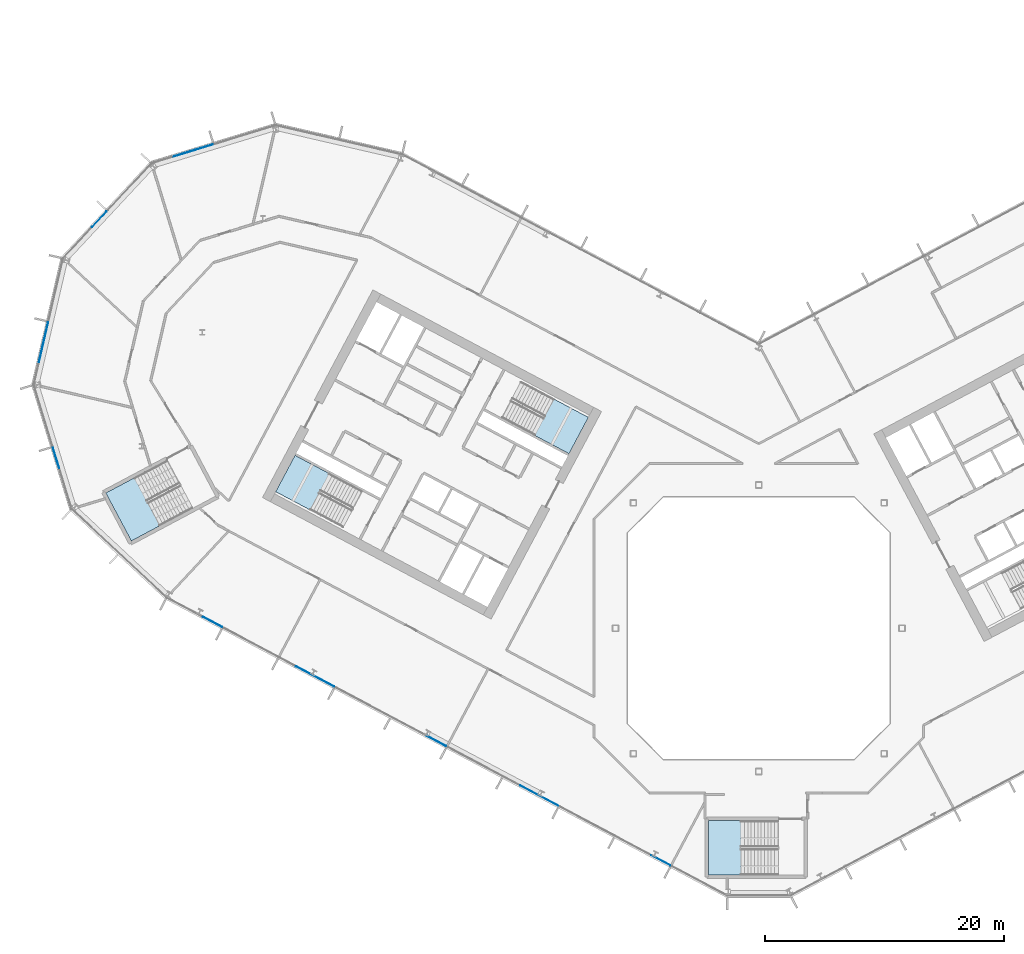
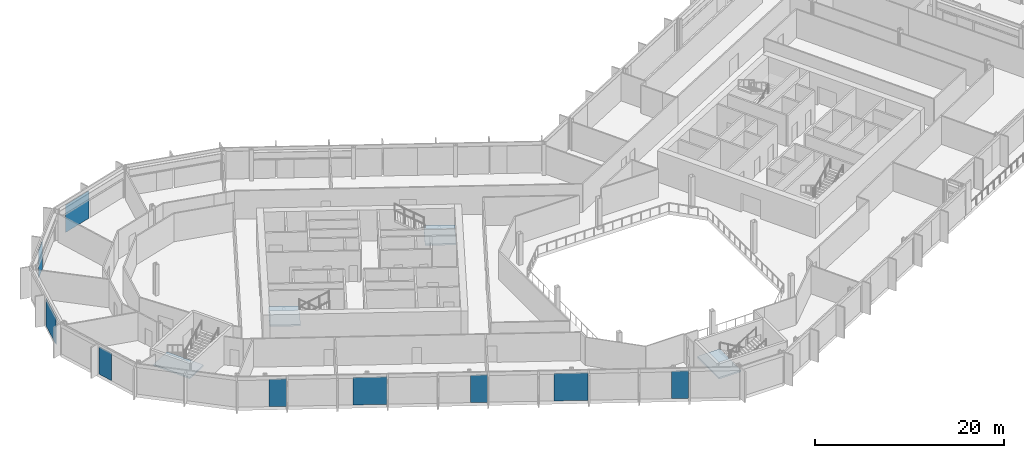
# One storey, part 14 of 34: 9 plates, 4 slabs, 9 elements without a shape of their own.
"""IFC4 building model written with IfcOpenShell, lengths in metres."""

from ifc_helpers import new_model, si_unit, direction, frame, origin, origin_2d, place, context, subcontext, project, spatial, polyline, rectangle, outline, extrude, material, layer, layer_set, type_object, element, aggregate, save


model = new_model("IFC4")

# Units and contexts
model_context = context("Model", 3, precision=1e-05, world=origin(), true_north=direction((0.0, 1.0)))
body_context = subcontext(model_context, "Body", "Model", "MODEL_VIEW")
ifc_project = project(units=[si_unit("LENGTHUNIT", "METRE"), si_unit("AREAUNIT", "SQUARE_METRE"), si_unit("VOLUMEUNIT", "CUBIC_METRE"), si_unit("PLANEANGLEUNIT", "RADIAN"), si_unit("MASSUNIT", "GRAM", prefix="KILO")], contexts=[model_context])

# Site, building, storey
site_placement = place(None, origin())
site = spatial("IfcSite", under=ifc_project, at=site_placement, CompositionType="ELEMENT")
building_placement = place(site_placement, origin())
building = spatial("IfcBuilding", under=site, at=building_placement, Name="Cormorant Relay Tower", CompositionType="ELEMENT")
storey_placement = place(building_placement, frame((0.0, 0.0, 118.199951171875)))
storey = spatial("IfcBuildingStorey", under=building, at=storey_placement, Name="L23", CompositionType="ELEMENT", Elevation=118.199951171875)

# Curtain wall, plate
ifc_material_1 = material(Name="Aluminium 6063-T6 anodised bronze", Category="aluminium")
ifc_layer_1 = layer(ifc_material_1, 0.199951171875)
ifc_layer_set_1 = layer_set([ifc_layer_1], Name="CW1 unitised bronze curtain wall with vertical fins")
curtain_wall_type = type_object("IfcCurtainWallType", Name="CW1 unitised bronze curtain wall with vertical fins", PredefinedType="NOTDEFINED", material=ifc_layer_set_1)
curtain_wall_1_placement = place(storey_placement, origin())
curtain_wall_1 = element("IfcCurtainWall", 1, at=curtain_wall_1_placement, inside=storey, type_object=curtain_wall_type, Name="CW1 curtain wall 12", PredefinedType="NOTDEFINED")
ifc_material_2 = material(Name="Tinted laminated glass", Category="glass")
ifc_layer_2 = layer(ifc_material_2, 0.0400390625)
ifc_layer_set_2 = layer_set([ifc_layer_2], Name="CW1 tinted vision panel 1800 module")
plate_type_1 = type_object("IfcPlateType", Name="CW1 tinted vision panel 1800 module", PredefinedType="CURTAIN_PANEL", material=ifc_layer_set_2)
plate_1_placement = place(storey_placement, frame((-55.247314453125, 34.2607421875, 0.0), z_axis=(0.0, 0.0, 1.0), x_axis=(-0.681998360062, -0.731353701619, 0.0)))
plate_1 = element("IfcPlate", 2, at=plate_1_placement, type_object=plate_type_1, Name="CW1 panel V01", PredefinedType="CURTAIN_PANEL", context=body_context, shape_type="SweptSolid", body=[
    extrude(rectangle(XDim=1.800048828125, YDim=0.0400390625, at=origin_2d()), origin(), (0.0, 0.0, 1.0), 3.550048828125),
])
aggregate(curtain_wall_1, [plate_1])

curtain_wall_2_placement = place(storey_placement, origin())
curtain_wall_2 = element("IfcCurtainWall", 3, at=curtain_wall_2_placement, inside=storey, type_object=curtain_wall_type, Name="CW1 curtain wall 14", PredefinedType="NOTDEFINED")
plate_2_placement = place(storey_placement, frame((-58.86474609375, 14.25732421875, 0.0), z_axis=(0.0, 0.0, 1.0), x_axis=(0.292371704723, -0.956304755963, 0.0)))
plate_2 = element("IfcPlate", 4, at=plate_2_placement, type_object=plate_type_1, Name="CW1 panel V01", PredefinedType="CURTAIN_PANEL", context=body_context, shape_type="SweptSolid", body=[
    extrude(rectangle(XDim=1.800048828125, YDim=0.0400390625, at=origin_2d()), origin(), (0.0, 0.0, 1.0), 3.550048828125),
])
aggregate(curtain_wall_2, [plate_2])

# Curtain wall, plates
curtain_wall_3_placement = place(storey_placement, origin())
curtain_wall_3 = element("IfcCurtainWall", 5, at=curtain_wall_3_placement, inside=storey, type_object=curtain_wall_type, Name="CW1 curtain wall 16", PredefinedType="NOTDEFINED")
plate_3_placement = place(storey_placement, frame((-45.767578125, 0.5283203125, 0.0), z_axis=(0.0, 0.0, 1.0), x_axis=(0.882947592859, -0.469471562786, 0.0)))
plate_3 = element("IfcPlate", 6, at=plate_3_placement, type_object=plate_type_1, Name="CW1 panel V01", PredefinedType="CURTAIN_PANEL", context=body_context, shape_type="SweptSolid", body=[
    extrude(rectangle(XDim=1.800048828125, YDim=0.0400390625, at=origin_2d()), origin(), (0.0, 0.0, 1.0), 3.550048828125),
])
plate_4_placement = place(storey_placement, frame((-26.990478515625, -9.45556640625, 0.0), z_axis=(0.0, 0.0, 1.0), x_axis=(0.882947592859, -0.469471562786, 0.0)))
plate_4 = element("IfcPlate", 7, at=plate_4_placement, type_object=plate_type_1, Name="CW1 panel V05", PredefinedType="CURTAIN_PANEL", context=body_context, shape_type="SweptSolid", body=[
    extrude(rectangle(XDim=1.800048828125, YDim=0.0400390625, at=origin_2d()), origin(), (0.0, 0.0, 1.0), 3.550048828125),
])
plate_5_placement = place(storey_placement, frame((-8.21337890625, -19.439453125, 0.0), z_axis=(0.0, 0.0, 1.0), x_axis=(0.882947592859, -0.469471562786, 0.0)))
plate_5 = element("IfcPlate", 8, at=plate_5_placement, type_object=plate_type_1, Name="CW1 panel V09", PredefinedType="CURTAIN_PANEL", context=body_context, shape_type="SweptSolid", body=[
    extrude(rectangle(XDim=1.800048828125, YDim=0.0400390625, at=origin_2d()), origin(), (0.0, 0.0, 1.0), 3.550048828125),
])

# Curtain wall, plate
curtain_wall_4_placement = place(storey_placement, origin())
curtain_wall_4 = element("IfcCurtainWall", 9, at=curtain_wall_4_placement, inside=storey, type_object=curtain_wall_type, Name="CW1 curtain wall 11", PredefinedType="NOTDEFINED")
ifc_material_3 = material(Name="Tinted laminated glass", Category="glass")
ifc_layer_3 = layer(ifc_material_3, 0.0400390625)
ifc_layer_set_3 = layer_set([ifc_layer_3], Name="CW1 tinted vision panel 3600 module")
plate_type_2 = type_object("IfcPlateType", Name="CW1 tinted vision panel 3600 module", PredefinedType="CURTAIN_PANEL", material=ifc_layer_set_3)
plate_6_placement = place(storey_placement, frame((-47.462158203125, 39.995361328125, 0.0), z_axis=(0.0, 0.0, 1.0), x_axis=(-0.956304755963, -0.292371704723, 0.0)))
plate_6 = element("IfcPlate", 10, at=plate_6_placement, type_object=plate_type_2, Name="CW1 panel V01", PredefinedType="CURTAIN_PANEL", context=body_context, shape_type="SweptSolid", body=[
    extrude(rectangle(XDim=3.60009765625, YDim=0.0400390625, at=origin_2d()), origin(), (0.0, 0.0, 1.0), 3.550048828125),
])
aggregate(curtain_wall_4, [plate_6])

curtain_wall_5_placement = place(storey_placement, origin())
curtain_wall_5 = element("IfcCurtainWall", 11, at=curtain_wall_5_placement, inside=storey, type_object=curtain_wall_type, Name="CW1 curtain wall 13", PredefinedType="NOTDEFINED")
plate_7_placement = place(storey_placement, frame((-59.9384765625, 23.86669921875, 0.0), z_axis=(0.0, 0.0, 1.0), x_axis=(-0.224951054344, -0.974370064785, 0.0)))
plate_7 = element("IfcPlate", 12, at=plate_7_placement, type_object=plate_type_2, Name="CW1 panel V01", PredefinedType="CURTAIN_PANEL", context=body_context, shape_type="SweptSolid", body=[
    extrude(rectangle(XDim=3.60009765625, YDim=0.0400390625, at=origin_2d()), origin(), (0.0, 0.0, 1.0), 3.550048828125),
])
aggregate(curtain_wall_5, [plate_7])

# Plate
plate_8_placement = place(storey_placement, frame((-37.173583984375, -4.041015625, 0.0), z_axis=(0.0, 0.0, 1.0), x_axis=(0.882947592859, -0.469471562786, 0.0)))
plate_8 = element("IfcPlate", 13, at=plate_8_placement, type_object=plate_type_2, Name="CW1 panel V03", PredefinedType="CURTAIN_PANEL", context=body_context, shape_type="SweptSolid", body=[
    extrude(rectangle(XDim=3.60009765625, YDim=0.0400390625, at=origin_2d()), origin(), (0.0, 0.0, 1.0), 3.550048828125),
])

plate_9_placement = place(storey_placement, frame((-18.396484375, -14.02490234375, 0.0), z_axis=(0.0, 0.0, 1.0), x_axis=(0.882947592859, -0.469471562786, 0.0)))
plate_9 = element("IfcPlate", 14, at=plate_9_placement, type_object=plate_type_2, Name="CW1 panel V07", PredefinedType="CURTAIN_PANEL", context=body_context, shape_type="SweptSolid", body=[
    extrude(rectangle(XDim=3.60009765625, YDim=0.0400390625, at=origin_2d()), origin(), (0.0, 0.0, 1.0), 3.550048828125),
])

aggregate(curtain_wall_3, [plate_3, plate_8, plate_4, plate_9, plate_5])

# Stair, slab
ifc_material_4 = material(Name="Concrete 40 MPa", Category="concrete")
stair_type_1 = type_object("IfcStairType", Name="Exit stair 1500", PredefinedType="HALF_TURN_STAIR", material=ifc_material_4)
stair_1_placement = place(storey_placement, origin())
stair_1 = element("IfcStair", 15, at=stair_1_placement, inside=storey, type_object=stair_type_1, Name="L23 Stair", PredefinedType="HALF_TURN_STAIR")
ifc_material_5 = material(Name="Concrete 40 MPa", Category="concrete")
ifc_layer_4 = layer(ifc_material_5, 0.199951171875)
ifc_layer_set_4 = layer_set([ifc_layer_4], Name="Exit stair landing 200")
slab_type = type_object("IfcSlabType", Name="Exit stair landing 200", PredefinedType="LANDING", material=ifc_layer_set_4)
slab_1_placement = place(storey_placement, frame((0.0, 0.0, 1.800048828125)))
slab_1 = element("IfcSlab", 16, at=slab_1_placement, type_object=slab_type, Name="A1 landing 1", PredefinedType="LANDING", context=body_context, shape_type="SweptSolid", body=[
    extrude(outline(polyline([(-18.7822265625, 16.1591796875), (-15.89501953125, 14.6240234375), (-14.275390625, 17.670166015625), (-17.16259765625, 19.205322265625), (-18.7822265625, 16.1591796875)])), origin(), (0.0, 0.0, 1.0), 0.199951171875),
])
aggregate(stair_1, [slab_1])

stair_2_placement = place(storey_placement, origin())
stair_2 = element("IfcStair", 17, at=stair_2_placement, inside=storey, type_object=stair_type_1, Name="L23 Stair", PredefinedType="HALF_TURN_STAIR")
slab_2_placement = place(storey_placement, frame((0.0, 0.0, 1.800048828125)))
slab_2 = element("IfcSlab", 18, at=slab_2_placement, type_object=slab_type, Name="A2 landing 1", PredefinedType="LANDING", context=body_context, shape_type="SweptSolid", body=[
    extrude(outline(polyline([(-35.96044921875, 12.947998046875), (-38.84765625, 14.483154296875), (-40.467529296875, 11.43701171875), (-37.580322265625, 9.90185546875), (-35.96044921875, 12.947998046875)])), origin(), (0.0, 0.0, 1.0), 0.199951171875),
])
aggregate(stair_2, [slab_2])

ifc_material_6 = material(Name="Concrete 40 MPa", Category="concrete")
stair_type_2 = type_object("IfcStairType", Name="Remote exit stair 2200", PredefinedType="HALF_TURN_STAIR", material=ifc_material_6)
stair_3_placement = place(storey_placement, origin())
stair_3 = element("IfcStair", 19, at=stair_3_placement, inside=storey, type_object=stair_type_2, Name="L23 Stair", PredefinedType="HALF_TURN_STAIR")
slab_3_placement = place(storey_placement, frame((0.0, 0.0, 1.800048828125)))
slab_3 = element("IfcSlab", 20, at=slab_3_placement, type_object=slab_type, Name="RK1 landing 1", PredefinedType="LANDING", context=body_context, shape_type="SweptSolid", body=[
    extrude(outline(polyline([(-1.47998046875, -16.125), (-4.199951171875, -16.125), (-4.199951171875, -20.675048828125), (-1.47998046875, -20.675048828125), (-1.47998046875, -16.125)])), origin(), (0.0, 0.0, 1.0), 0.199951171875),
])
aggregate(stair_3, [slab_3])

stair_4_placement = place(storey_placement, origin())
stair_4 = element("IfcStair", 21, at=stair_4_placement, inside=storey, type_object=stair_type_2, Name="L23 Stair", PredefinedType="HALF_TURN_STAIR")
slab_4_placement = place(storey_placement, frame((0.0, 0.0, 1.800048828125)))
slab_4 = element("IfcSlab", 22, at=slab_4_placement, type_object=slab_type, Name="RP1 landing 1", PredefinedType="LANDING", context=body_context, shape_type="SweptSolid", body=[
    extrude(outline(polyline([(-52.29833984375, 12.607666015625), (-54.699951171875, 11.330810546875), (-52.563720703125, 7.3134765625), (-50.162109375, 8.59033203125), (-52.29833984375, 12.607666015625)])), origin(), (0.0, 0.0, 1.0), 0.199951171875),
])
aggregate(stair_4, [slab_4])

save(model, "model.ifc")
